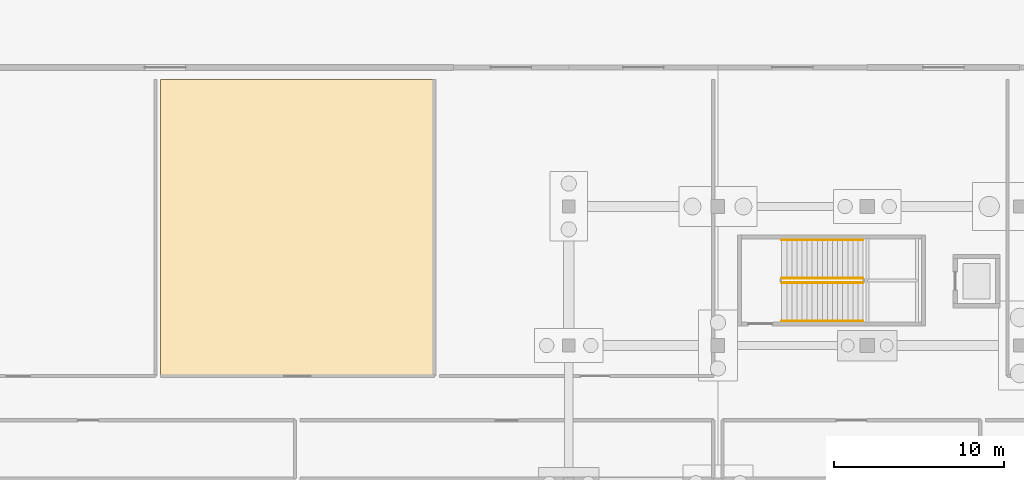
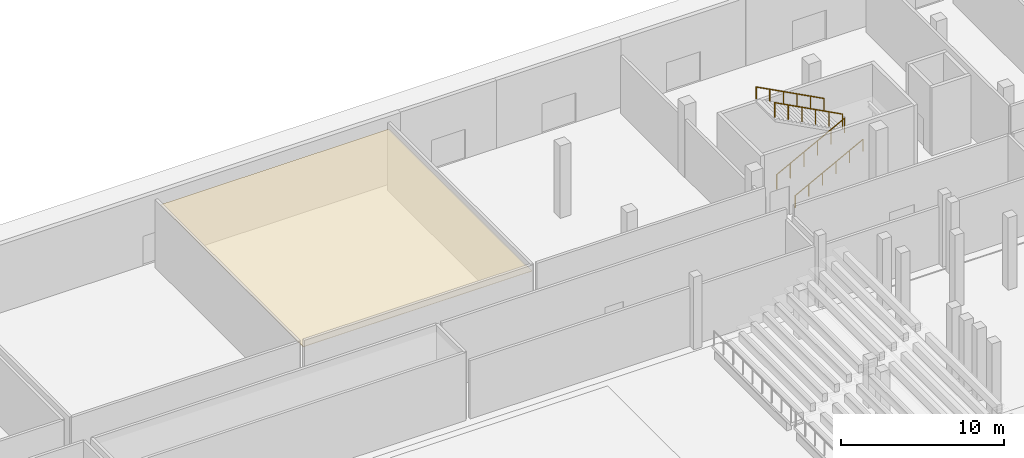
# One storey, part 87 of 89: 4 railings, 1 covering.
"""IFC4 building model written with IfcOpenShell, lengths in metres."""

from ifc_helpers import new_model, si_unit, direction, frame, origin, origin_2d, place, context, subcontext, project, spatial, polyline, circle, outline, extrude, material, layer, layer_set, type_object, element, save


model = new_model("IFC4")

# Units and contexts
model_context = context("Model", 3, precision=1e-05, world=origin(), true_north=direction((0.0, 1.0)))
body_context = subcontext(model_context, "Body", "Model", "MODEL_VIEW")
ifc_project = project(units=[si_unit("LENGTHUNIT", "METRE"), si_unit("AREAUNIT", "SQUARE_METRE"), si_unit("VOLUMEUNIT", "CUBIC_METRE"), si_unit("PLANEANGLEUNIT", "RADIAN"), si_unit("MASSUNIT", "GRAM", prefix="KILO")], contexts=[model_context])

# Site, building, storey
site_placement = place(None, origin())
site = spatial("IfcSite", under=ifc_project, at=site_placement, CompositionType="ELEMENT")
building_placement = place(site_placement, origin())
building = spatial("IfcBuilding", under=site, at=building_placement, Name="Koshinbarg Plaza Stadium", CompositionType="ELEMENT")
storey_placement = place(building_placement, origin())
storey = spatial("IfcBuildingStorey", under=building, at=storey_placement, Name="L00", CompositionType="ELEMENT", Elevation=0.0)

# Covering
ifc_material_1 = material(Name="Perforated gypsum acoustic ceiling board")
ifc_layer = layer(ifc_material_1, 0.030029296875)
ifc_layer_set = layer_set([ifc_layer], Name="Perforated gypsum acoustic ceiling board")
covering_type = type_object("IfcCoveringType", Name="COV-CEIL-01", PredefinedType="CEILING", material=ifc_layer_set)
covering_placement = place(storey_placement, frame((0.0, 0.0, 4.530029296875)))
element("IfcCovering", 1, at=covering_placement, inside=storey, type_object=covering_type, Name="L00 Olympic Heritage Exhibition Hall acoustic ceiling 003", PredefinedType="CEILING", context=body_context, shape_type="SweptSolid", body=[
    extrude(outline(polyline([(138.723388671875, 133.800048828125), (154.876708984375, 133.800048828125), (154.876708984375, 151.300048828125), (138.723388671875, 151.300048828125), (138.723388671875, 133.800048828125)])), origin(), (0.0, 0.0, 1.0), 0.030029296875),
])

# Railings
ifc_material_2 = material(Name="Galvanized painted steel guardrail", Category="steel")
railing_type_1 = type_object("IfcRailingType", Name="RL-GUARD-1100", PredefinedType="GUARDRAIL", material=ifc_material_2)
railing_1_placement = place(storey_placement, frame((175.360107421875, 139.31005859375, 0.158935546875)))
element("IfcRailing", 2, at=railing_1_placement, inside=storey, type_object=railing_type_1, Name="L00 C12 stair guard 1", PredefinedType="GUARDRAIL", context=body_context, shape_type="SweptSolid", body=[
    extrude(circle(Radius=0.02392578125, at=origin_2d()), frame((0.0, 0.0, 1.076171875), z_axis=(0.883792290195, 0.0, 0.467879458614), x_axis=(0.0, 1.0, 0.0)), (0.0, 0.0, 1.0), 5.430908203125),
    extrude(circle(Radius=0.02099609375, at=origin_2d()), origin(), (0.0, 0.0, 1.0), 1.052001953125),
    extrude(circle(Radius=0.02099609375, at=origin_2d()), frame((0.9599609375, 0.0, 0.50830078125)), (0.0, 0.0, 1.0), 1.052001953125),
    extrude(circle(Radius=0.02099609375, at=origin_2d()), frame((1.919921875, 0.0, 1.016357421875)), (0.0, 0.0, 1.0), 1.052001953125),
    extrude(circle(Radius=0.02099609375, at=origin_2d()), frame((2.8798828125, 0.0, 1.524658203125)), (0.0, 0.0, 1.0), 1.052001953125),
    extrude(circle(Radius=0.02099609375, at=origin_2d()), frame((3.83984375, 0.0, 2.03271484375)), (0.0, 0.0, 1.0), 1.052001953125),
    extrude(circle(Radius=0.02099609375, at=origin_2d()), frame((4.7998046875, 0.0, 2.541015625)), (0.0, 0.0, 1.0), 1.052001953125),
])
railing_2_placement = place(storey_placement, frame((180.159912109375, 139.56005859375, 2.85888671875)))
element("IfcRailing", 3, at=railing_2_placement, inside=storey, type_object=railing_type_1, Name="L00 C12 stair guard 3", PredefinedType="GUARDRAIL", context=body_context, shape_type="SweptSolid", body=[
    extrude(circle(Radius=0.02392578125, at=origin_2d()), frame((0.0, 0.0, 1.076171875), z_axis=(-0.883792290195, 0.0, 0.467879458614), x_axis=(0.0, -1.0, 0.0)), (0.0, 0.0, 1.0), 5.430908203125),
    extrude(circle(Radius=0.02099609375, at=origin_2d()), origin(), (0.0, 0.0, 1.0), 1.052001953125),
    extrude(circle(Radius=0.02099609375, at=origin_2d()), frame((-0.9599609375, 0.0, 0.50830078125)), (0.0, 0.0, 1.0), 1.052001953125),
    extrude(circle(Radius=0.02099609375, at=origin_2d()), frame((-1.919921875, 0.0, 1.016357421875)), (0.0, 0.0, 1.0), 1.052001953125),
    extrude(circle(Radius=0.02099609375, at=origin_2d()), frame((-2.8798828125, 0.0, 1.524658203125)), (0.0, 0.0, 1.0), 1.052001953125),
    extrude(circle(Radius=0.02099609375, at=origin_2d()), frame((-3.83984375, 0.0, 2.03271484375)), (0.0, 0.0, 1.0), 1.052001953125),
    extrude(circle(Radius=0.02099609375, at=origin_2d()), frame((-4.7998046875, 0.0, 2.541015625)), (0.0, 0.0, 1.0), 1.052001953125),
])
ifc_material_3 = material(Name="Brushed stainless steel handrail", Category="steel")
railing_type_2 = type_object("IfcRailingType", Name="RL-HAND-900", PredefinedType="HANDRAIL", material=ifc_material_3)
railing_3_placement = place(storey_placement, frame((175.360107421875, 137.050048828125, 0.158935546875)))
element("IfcRailing", 4, at=railing_3_placement, inside=storey, type_object=railing_type_2, Name="L00 C12 stair handrail 1", PredefinedType="HANDRAIL", context=body_context, shape_type="SweptSolid", body=[
    extrude(circle(Radius=0.02392578125, at=origin_2d()), frame((0.0, 0.0, 0.8759765625), z_axis=(0.883792290195, 0.0, 0.467879458614), x_axis=(0.0, 1.0, 0.0)), (0.0, 0.0, 1.0), 5.430908203125),
    extrude(circle(Radius=0.02099609375, at=origin_2d()), origin(), (0.0, 0.0, 1.0), 0.851806640625),
    extrude(circle(Radius=0.02099609375, at=origin_2d()), frame((0.9599609375, 0.0, 0.50830078125)), (0.0, 0.0, 1.0), 0.851806640625),
    extrude(circle(Radius=0.02099609375, at=origin_2d()), frame((1.919921875, 0.0, 1.016357421875)), (0.0, 0.0, 1.0), 0.851806640625),
    extrude(circle(Radius=0.02099609375, at=origin_2d()), frame((2.8798828125, 0.0, 1.524658203125)), (0.0, 0.0, 1.0), 0.851806640625),
    extrude(circle(Radius=0.02099609375, at=origin_2d()), frame((3.83984375, 0.0, 2.03271484375)), (0.0, 0.0, 1.0), 0.851806640625),
    extrude(circle(Radius=0.02099609375, at=origin_2d()), frame((4.7998046875, 0.0, 2.541015625)), (0.0, 0.0, 1.0), 0.851806640625),
])
railing_4_placement = place(storey_placement, frame((180.159912109375, 141.820068359375, 2.85888671875)))
element("IfcRailing", 5, at=railing_4_placement, inside=storey, type_object=railing_type_2, Name="L00 C12 stair handrail 2", PredefinedType="HANDRAIL", context=body_context, shape_type="SweptSolid", body=[
    extrude(circle(Radius=0.02392578125, at=origin_2d()), frame((0.0, 0.0, 0.8759765625), z_axis=(-0.883792290195, 0.0, 0.467879458614), x_axis=(0.0, -1.0, 0.0)), (0.0, 0.0, 1.0), 5.430908203125),
    extrude(circle(Radius=0.02099609375, at=origin_2d()), origin(), (0.0, 0.0, 1.0), 0.851806640625),
    extrude(circle(Radius=0.02099609375, at=origin_2d()), frame((-0.9599609375, 0.0, 0.50830078125)), (0.0, 0.0, 1.0), 0.851806640625),
    extrude(circle(Radius=0.02099609375, at=origin_2d()), frame((-1.919921875, 0.0, 1.016357421875)), (0.0, 0.0, 1.0), 0.851806640625),
    extrude(circle(Radius=0.02099609375, at=origin_2d()), frame((-2.8798828125, 0.0, 1.524658203125)), (0.0, 0.0, 1.0), 0.851806640625),
    extrude(circle(Radius=0.02099609375, at=origin_2d()), frame((-3.83984375, 0.0, 2.03271484375)), (0.0, 0.0, 1.0), 0.851806640625),
    extrude(circle(Radius=0.02099609375, at=origin_2d()), frame((-4.7998046875, 0.0, 2.541015625)), (0.0, 0.0, 1.0), 0.851806640625),
])

save(model, "model.ifc")
